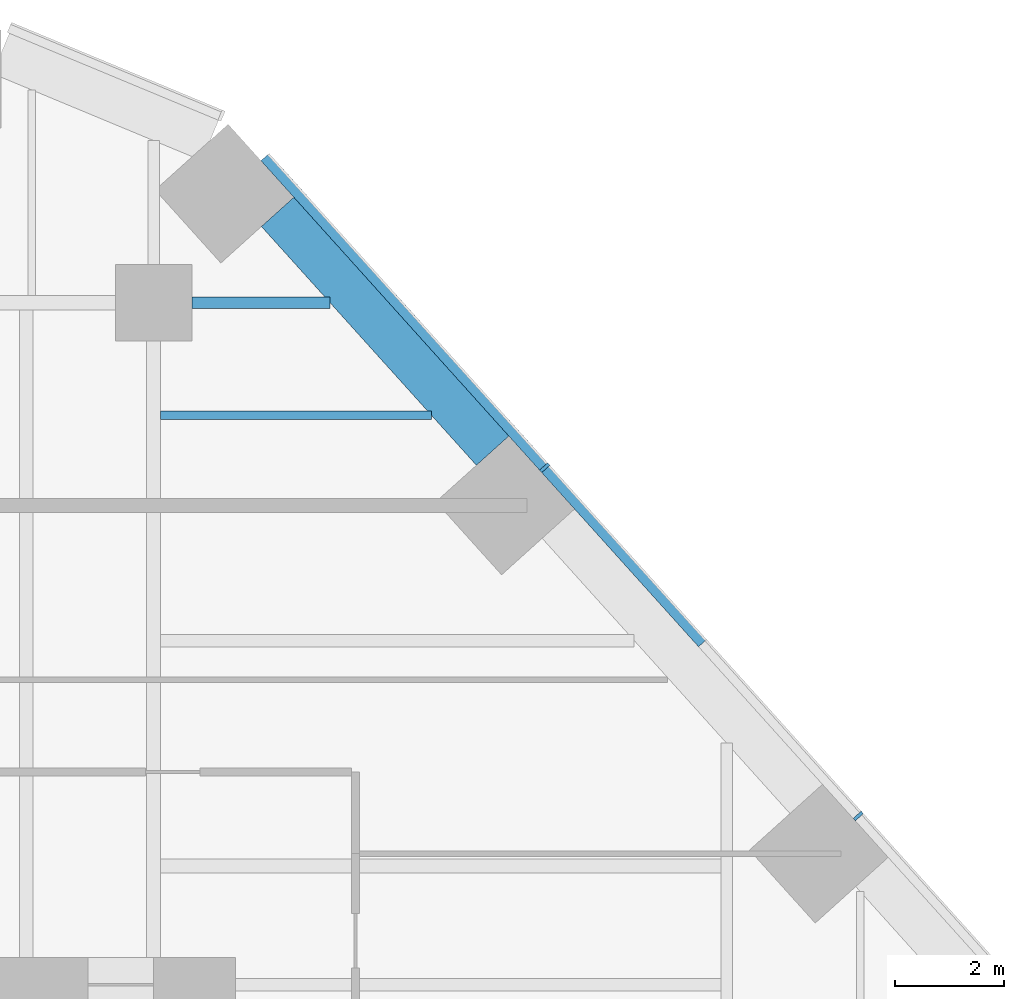
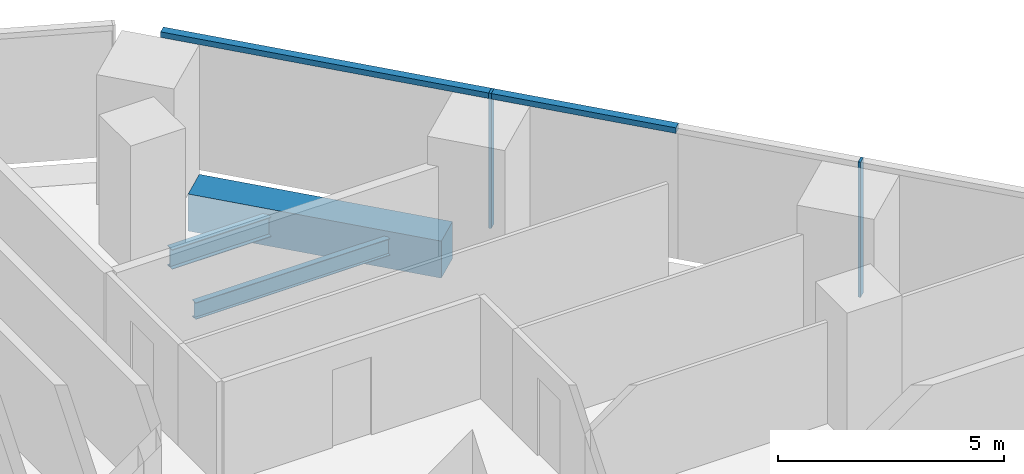
# One storey, part 12 of 31: 4 members, 3 beams, 1 element without a shape of its own.
"""IFC4 building model written with IfcOpenShell, lengths in metres."""

from ifc_helpers import new_model, si_unit, direction, frame, origin, origin_2d, place, context, subcontext, project, spatial, rectangle, i_section, extrude, material, layer, layer_set, material_profile, profile_set, type_object, element, aggregate, save


model = new_model("IFC4")

# Units and contexts
model_context = context("Model", 3, precision=1e-05, world=origin(), true_north=direction((0.0, 1.0)))
body_context = subcontext(model_context, "Body", "Model", "MODEL_VIEW")
ifc_project = project(units=[si_unit("LENGTHUNIT", "METRE"), si_unit("AREAUNIT", "SQUARE_METRE"), si_unit("VOLUMEUNIT", "CUBIC_METRE"), si_unit("PLANEANGLEUNIT", "RADIAN"), si_unit("MASSUNIT", "GRAM", prefix="KILO")], contexts=[model_context])

# Site, building, storey
site_placement = place(None, origin())
site = spatial("IfcSite", under=ifc_project, at=site_placement, CompositionType="ELEMENT")
building_placement = place(site_placement, origin())
building = spatial("IfcBuilding", under=site, at=building_placement, Name="Isthmus Gate Tower", CompositionType="ELEMENT")
storey_placement = place(building_placement, frame((0.0, 0.0, 54.25)))
storey = spatial("IfcBuildingStorey", under=building, at=storey_placement, Name="L11", CompositionType="ELEMENT", Elevation=54.25)

# Curtain wall, members
ifc_material_1 = material(Name="Aluminium, pale champagne anodised", Category="aluminium")
ifc_layer = layer(ifc_material_1, 0.199951171875)
ifc_layer_set = layer_set([ifc_layer], Name="CW-1 UNITISED CURTAIN WALL 200 DEEP")
curtain_wall_type = type_object("IfcCurtainWallType", Name="CW-1 UNITISED CURTAIN WALL 200 DEEP", PredefinedType="NOTDEFINED", material=ifc_layer_set)
curtain_wall_placement = place(storey_placement, origin())
curtain_wall = element("IfcCurtainWall", 1, at=curtain_wall_placement, inside=storey, type_object=curtain_wall_type, Name="CW-1 NE L11", PredefinedType="NOTDEFINED")
ifc_material_2 = material(Name="Aluminium, pale champagne anodised", Category="aluminium")
ifc_material_profile_1 = material_profile(ifc_material_2, rectangle(XDim=0.06005859375, YDim=0.199951171875, at=origin_2d()), Name="60x200")
ifc_profile_set_1 = profile_set([ifc_material_profile_1], Name="Aluminium, pale champagne anodised")
member_type_1 = type_object("IfcMemberType", Name="CW-1 MULLION 60 X 200", PredefinedType="MULLION", material=ifc_profile_set_1)
member_1_placement = place(storey_placement, frame((26.4140625, 17.591796875, 0.0), z_axis=(0.0, 0.0, 1.0), x_axis=(-0.669130606359, 0.743144825477, 0.0)))
member_1 = element("IfcMember", 2, at=member_1_placement, type_object=member_type_1, Name="CW-1 mullion", PredefinedType="MULLION", context=body_context, shape_type="SweptSolid", body=[
    extrude(rectangle(XDim=0.06005859375, YDim=0.199951171875, at=origin_2d()), origin(), (0.0, 0.0, 1.0), 3.64990234375),
])
member_2_placement = place(storey_placement, frame((20.666748046875, 23.974853515625, 0.0), z_axis=(0.0, 0.0, 1.0), x_axis=(-0.669130606359, 0.743144825477, 0.0)))
member_2 = element("IfcMember", 3, at=member_2_placement, type_object=member_type_1, Name="CW-1 mullion", PredefinedType="MULLION", context=body_context, shape_type="SweptSolid", body=[
    extrude(rectangle(XDim=0.06005859375, YDim=0.199951171875, at=origin_2d()), origin(), (0.0, 0.0, 1.0), 3.64990234375),
])
ifc_material_3 = material(Name="Aluminium, pale champagne anodised", Category="aluminium")
ifc_material_profile_2 = material_profile(ifc_material_3, rectangle(XDim=0.199951171875, YDim=0.14990234375, at=origin_2d()), Name="200x150")
ifc_profile_set_2 = profile_set([ifc_material_profile_2], Name="Aluminium, pale champagne anodised")
member_type_2 = type_object("IfcMemberType", Name="CW-1 TRANSOM 200 X 150", PredefinedType="USERDEFINED", material=ifc_profile_set_2)
member_3_placement = place(storey_placement, frame((23.560546875, 20.760986328125, 3.574951171875), z_axis=(-0.669131169216, 0.743144318678, 0.0), x_axis=(-0.743144318678, -0.669131169216, 0.0)))
member_3 = element("IfcMember", 4, at=member_3_placement, type_object=member_type_2, Name="CW-1 transom", ObjectType="TRANSOM", PredefinedType="USERDEFINED", context=body_context, shape_type="SweptSolid", body=[
    extrude(rectangle(XDim=0.199951171875, YDim=0.14990234375, at=origin_2d()), origin(), (0.0, 0.0, 1.0), 4.294677734375),
])
member_4_placement = place(storey_placement, frame((20.646728515625, 23.997314453125, 3.574951171875), z_axis=(-0.66912913739, 0.74314614814, 0.0), x_axis=(-0.74314614814, -0.66912913739, 0.0)))
member_4 = element("IfcMember", 5, at=member_4_placement, type_object=member_type_2, Name="CW-1 transom", ObjectType="TRANSOM", PredefinedType="USERDEFINED", context=body_context, shape_type="SweptSolid", body=[
    extrude(rectangle(XDim=0.199951171875, YDim=0.14990234375, at=origin_2d()), origin(), (0.0, 0.0, 1.0), 7.62939453125),
])
aggregate(curtain_wall, [member_1, member_3, member_2, member_4])

# Beams
ifc_material_4 = material(Name="Concrete f'c 70 MPa", Category="concrete")
ifc_material_profile_3 = material_profile(ifc_material_4, rectangle(XDim=0.800048828125, YDim=1.0, at=origin_2d()), Name="RC 800X1000")
ifc_profile_set_3 = profile_set([ifc_material_profile_3], Name="Concrete f'c 70 MPa")
beam_type_1 = type_object("IfcBeamType", Name="RC SPANDREL 800 X 1000", PredefinedType="SPANDREL", material=ifc_profile_set_3)
beam_1_placement = place(storey_placement, frame((15.772216796875, 28.66357421875, -0.5), z_axis=(0.669141061586, -0.743135411415, 0.0), x_axis=(0.743135411415, 0.669141061586, 0.0)))
element("IfcBeam", 6, at=beam_1_placement, inside=storey, type_object=beam_type_1, Name="str-spandrel-L11-01", PredefinedType="SPANDREL", context=body_context, shape_type="SweptSolid", body=[
    extrude(rectangle(XDim=0.800048828125, YDim=1.0, at=origin_2d()), origin(), (0.0, 0.0, 1.0), 5.889404296875),
])
ifc_material_5 = material(Name="Structural steel ASTM A992 Gr 50", Category="steel")
ifc_material_profile_4 = material_profile(ifc_material_5, i_section(OverallWidth=0.15234375, OverallDepth=0.45068359375, WebThickness=0.0078125, FlangeThickness=0.010986328125, at=origin_2d()), Name="W18X35")
ifc_profile_set_4 = profile_set([ifc_material_profile_4], Name="Structural steel ASTM A992 Gr 50")
beam_type_2 = type_object("IfcBeamType", Name="STEEL FLOOR BEAM W18X35", PredefinedType="JOIST", material=ifc_profile_set_4)
beam_2_placement = place(storey_placement, frame((13.626953125, 24.935791015625, -0.37548828125), z_axis=(1.0, 0.0, 0.0), x_axis=(0.0, 1.0, 0.0)))
element("IfcBeam", 7, at=beam_2_placement, inside=storey, type_object=beam_type_2, Name="str-beam-L11-30-02", PredefinedType="JOIST", context=body_context, shape_type="SweptSolid", body=[
    extrude(i_section(OverallWidth=0.15234375, OverallDepth=0.45068359375, WebThickness=0.0078125, FlangeThickness=0.010986328125, at=origin_2d()), origin(), (0.0, 0.0, 1.0), 4.963623046875),
])
ifc_material_6 = material(Name="Structural steel ASTM A992 Gr 50", Category="steel")
ifc_material_profile_5 = material_profile(ifc_material_6, i_section(OverallWidth=0.20947265625, OverallDepth=0.533447265625, WebThickness=0.009521484375, FlangeThickness=0.015869140625, at=origin_2d()), Name="W21X62")
ifc_profile_set_5 = profile_set([ifc_material_profile_5], Name="Structural steel ASTM A992 Gr 50")
beam_type_3 = type_object("IfcBeamType", Name="STEEL GIRDER W21X62", PredefinedType="BEAM", material=ifc_profile_set_5)
beam_3_placement = place(storey_placement, frame((14.199951171875, 27.0, -0.416748046875), z_axis=(1.0, 0.0, 0.0), x_axis=(0.0, 1.0, 0.0)))
element("IfcBeam", 8, at=beam_3_placement, inside=storey, type_object=beam_type_3, Name="str-girder-L11-19", PredefinedType="BEAM", context=body_context, shape_type="SweptSolid", body=[
    extrude(i_section(OverallWidth=0.20947265625, OverallDepth=0.533447265625, WebThickness=0.009521484375, FlangeThickness=0.015869140625, at=origin_2d()), origin(), (0.0, 0.0, 1.0), 2.531982421875),
])

save(model, "model.ifc")
